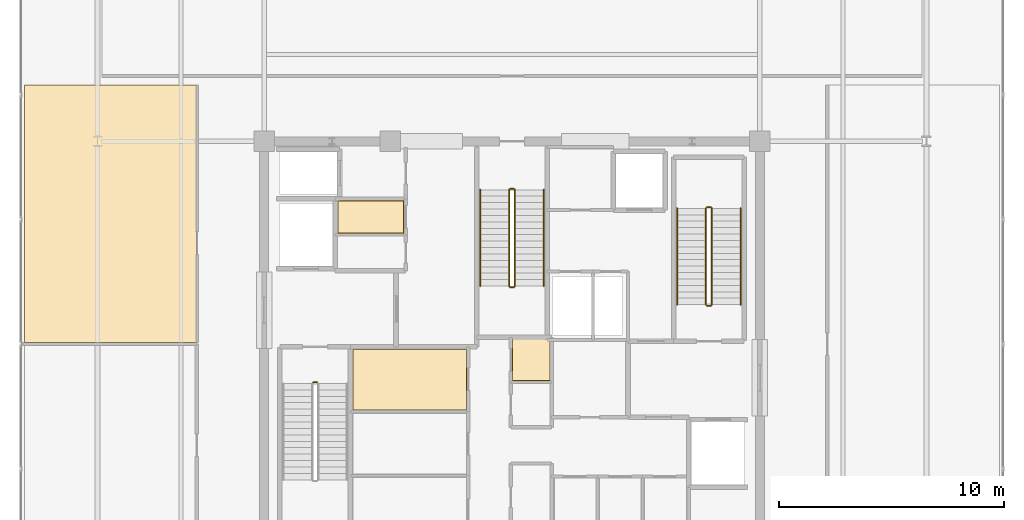
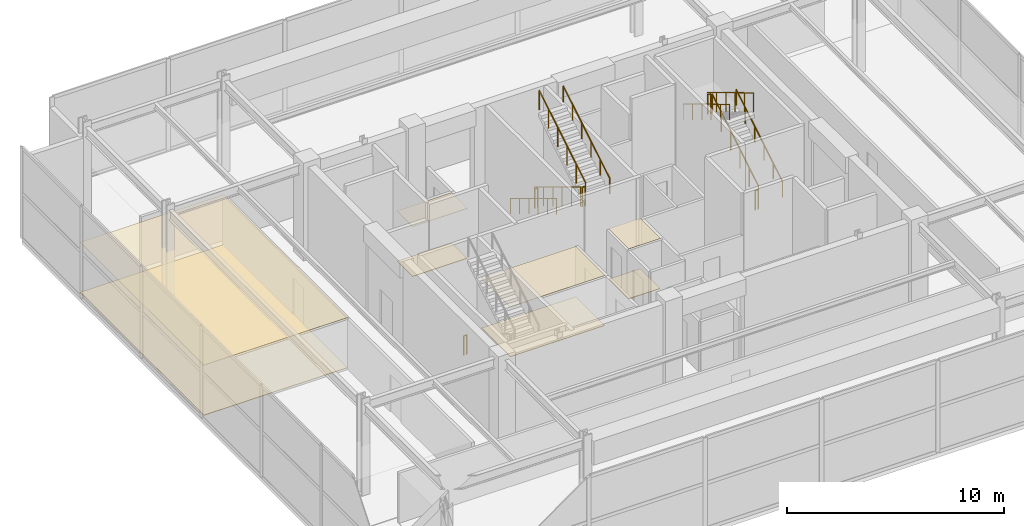
# One storey, part 23 of 24: 13 railings, 8 coverings.
"""IFC4 building model written with IfcOpenShell, lengths in metres."""

import ifcopenshell
import ifcopenshell.guid

model = None  # the IFC model being written
_history = None  # IfcOwnerHistory: only IFC2X3 demands one
_inside = {}  # id of a spatial element -> (the spatial element, [elements in it])
_under = {}  # id of a project, library or spatial element -> (it, [spatial elements below it])
_declared = {}  # id of a project -> (the project, [libraries it declares])
_typed = {}  # id of a type object -> (the type object, [elements of that type])
_made_of = {}  # id of a material, layer set ... -> (it, [elements and type objects made of it])


def new_model(schema):
    """Start an empty IFC model of exactly this schema.

    Asked for "IFC4X3", IfcOpenShell would pick the latest addendum, in which some entities
    have other attributes; the version numbers below select the first issue.
    IFC2X3 requires an IfcOwnerHistory on every rooted entity: one is made here for all.
    """
    global model, _history
    if schema == "IFC4X3":
        model = ifcopenshell.file(schema_version=(4, 3, 0, 0))
    else:
        model = ifcopenshell.file(schema=schema)
    _inside.clear()
    _under.clear()
    _declared.clear()
    _typed.clear()
    _made_of.clear()
    _history = None
    if model.schema == "IFC2X3":
        org = make("IfcOrganization", Name="unknown")
        user = make(
            "IfcPersonAndOrganization",
            ThePerson=make("IfcPerson", FamilyName="unknown"),
            TheOrganization=org,
        )
        app = make(
            "IfcApplication",
            ApplicationDeveloper=org,
            Version="unknown",
            ApplicationFullName="unknown",
            ApplicationIdentifier="unknown",
        )
        _history = make(
            "IfcOwnerHistory",
            OwningUser=user,
            OwningApplication=app,
            ChangeAction="ADDED",
            CreationDate=0,
        )
    return model


def make(cls, **values):
    """One entity of the class cls with the attributes given. An attribute that is None is left unset."""
    return model.create_entity(
        cls, **{name: value for name, value in values.items() if value is not None}
    )


def rooted(cls, **values):
    """An entity with a GlobalId (a new one), such as an element, a storey or a relation."""
    return make(cls, GlobalId=ifcopenshell.guid.new(), OwnerHistory=_history, **values)


def si_unit(unit_type, name, prefix=None):
    """IfcSIUnit, for example si_unit("LENGTHUNIT", "METRE", prefix="MILLI")."""
    return make("IfcSIUnit", UnitType=unit_type, Prefix=prefix, Name=name)


def assignment(units):
    """IfcUnitAssignment: the units of a project."""
    return None if units is None else make("IfcUnitAssignment", Units=units)


def point(xyz):
    """IfcCartesianPoint."""
    return None if xyz is None else make("IfcCartesianPoint", Coordinates=xyz)


def direction(xyz):
    """IfcDirection."""
    return None if xyz is None else make("IfcDirection", DirectionRatios=xyz)


def frame(location, z_axis=None, x_axis=None):
    """IfcAxis2Placement3D, a coordinate frame: its origin and axes. An axis left out is left unset."""
    return make(
        "IfcAxis2Placement3D",
        Location=point(location),
        Axis=direction(z_axis),
        RefDirection=direction(x_axis),
    )


def frame_2d(location, x_axis=None):
    """IfcAxis2Placement2D, a coordinate frame in the plane: its origin and x axis."""
    return make(
        "IfcAxis2Placement2D", Location=point(location), RefDirection=direction(x_axis)
    )


def origin():
    """The frame at (0, 0, 0) with its axes left unset."""
    return frame((0.0, 0.0, 0.0))


def origin_2d():
    """The frame at (0, 0) in the plane with its x axis left unset."""
    return frame_2d((0.0, 0.0))


def place(relative_to, where):
    """IfcLocalPlacement: puts the frame where relative to a parent placement (None: the world)."""
    return make(
        "IfcLocalPlacement", PlacementRelTo=relative_to, RelativePlacement=where
    )


def context(
    kind, dimensions, precision=None, world=None, true_north=None, identifier=None
):
    """IfcGeometricRepresentationContext, for example the 3D "Model" context."""
    return make(
        "IfcGeometricRepresentationContext",
        ContextIdentifier=identifier,
        ContextType=kind,
        CoordinateSpaceDimension=dimensions,
        Precision=precision,
        WorldCoordinateSystem=world,
        TrueNorth=true_north,
    )


def subcontext(parent, identifier, kind, view, scale=None):
    """IfcGeometricRepresentationSubContext, for example "Body" below "Model"."""
    return make(
        "IfcGeometricRepresentationSubContext",
        ContextIdentifier=identifier,
        ContextType=kind,
        ParentContext=parent,
        TargetScale=scale,
        TargetView=view,
    )


def project(units=None, contexts=None):
    """IfcProject with its units and contexts."""
    return rooted(
        "IfcProject",
        Name="project",
        RepresentationContexts=contexts,
        UnitsInContext=assignment(units),
    )


def spatial(cls, under=None, at=None, **own):
    """A site, building, storey or space (cls), placed at a placement, below another one or the project."""
    s = rooted(cls, ObjectPlacement=at, **own)
    if under is not None:
        _under.setdefault(under.id(), (under, []))[1].append(s)
    return s


def polyline(points):
    """IfcPolyline through the points."""
    return make("IfcPolyline", Points=[point(p) for p in points])


def profile(cls, at=None, kind="AREA", **sizes):
    """A parametric profile (cls). Its sizes go by their IFC names, for example OverallWidth=200.0."""
    return make(cls, ProfileType=kind, Position=at, **sizes)


def circle(**sizes):
    """IfcCircleProfileDef."""
    return profile("IfcCircleProfileDef", **sizes)


def outline(outer, holes=None, kind="AREA"):
    """IfcArbitraryClosedProfileDef: a profile drawn as a closed curve; with holes, ...WithVoids."""
    if holes is None:
        return make("IfcArbitraryClosedProfileDef", ProfileType=kind, OuterCurve=outer)
    return make(
        "IfcArbitraryProfileDefWithVoids",
        ProfileType=kind,
        OuterCurve=outer,
        InnerCurves=holes,
    )


def extrude(swept, where, along, depth):
    """IfcExtrudedAreaSolid: the profile swept, set in the frame where, extruded along a direction by depth."""
    return make(
        "IfcExtrudedAreaSolid",
        SweptArea=swept,
        Position=where,
        ExtrudedDirection=direction(along),
        Depth=depth,
    )


def shape(context_of_items, identifier, shape_type, items):
    """IfcShapeRepresentation: the items that make up one representation, for example the "Body"."""
    return make(
        "IfcShapeRepresentation",
        ContextOfItems=context_of_items,
        RepresentationIdentifier=identifier,
        RepresentationType=shape_type,
        Items=items,
    )


def material(Name=None, Category=None):
    """IfcMaterial."""
    return make("IfcMaterial", Name=Name, Category=Category)


def layer(
    of_material, thickness, ventilated=None, Name=None, Category=None, Priority=None
):
    """IfcMaterialLayer: one layer of a wall or slab, of a material (None: an air gap)."""
    return make(
        "IfcMaterialLayer",
        Material=of_material,
        LayerThickness=thickness,
        IsVentilated=ventilated,
        Name=Name,
        Category=Category,
        Priority=Priority,
    )


def layer_set(layers, Name=None):
    """IfcMaterialLayerSet."""
    return make("IfcMaterialLayerSet", MaterialLayers=layers, LayerSetName=Name)


def made_of(thing, what):
    """Note that an element or type object is made of a material, layer set ...; save() writes the relation."""
    if what is not None:
        _made_of.setdefault(what.id(), (what, []))[1].append(thing)
    return thing


def type_object(cls, material=None, **own):
    """A type object (cls), such as IfcWallType, which elements share."""
    return made_of(rooted(cls, **own), material)


def element(
    cls,
    number,
    at=None,
    inside=None,
    cuts=None,
    type_object=None,
    material=None,
    context=None,
    identifier="Body",
    shape_type=None,
    held_by="IfcProductDefinitionShape",
    body=None,
    shapes=None,
    **own,
):
    """One element of the class cls, such as IfcWall. Its Tag is "e" and its number.

    at: its placement. inside: the storey or other place that contains it. cuts: it is an
    opening in that element (IfcRelVoidsElement). A single representation is given by context,
    identifier, shape_type and body (its items); several are given by shapes. held_by: the class
    of the entity that holds the representations. save() writes the other relations.
    """
    e = rooted(cls, Tag="e%d" % number, ObjectPlacement=at, **own)
    if body is not None:
        shapes = [shape(context, identifier, shape_type, body)]
    if shapes is not None:
        e.Representation = make(held_by, Representations=shapes)
    if inside is not None:
        _inside.setdefault(inside.id(), (inside, []))[1].append(e)
    if cuts is not None:
        rooted(
            "IfcRelVoidsElement", RelatingBuildingElement=cuts, RelatedOpeningElement=e
        )
    if type_object is not None:
        _typed.setdefault(type_object.id(), (type_object, []))[1].append(e)
    return made_of(e, material)


def aggregate(whole, parts):
    """IfcRelAggregates: a whole, such as a stair, and the parts it consists of."""
    return rooted("IfcRelAggregates", RelatingObject=whole, RelatedObjects=parts)


def save(model, path):
    """Write the relations noted so far, then the file.

    IfcRelAggregates (storeys below a building ...), IfcRelContainedInSpatialStructure (elements
    in a storey), IfcRelDefinesByType, IfcRelAssociatesMaterial and IfcRelDeclares: one each for
    every whole, place, type object, material and project.
    """
    for whole, parts in _under.values():
        aggregate(whole, parts)
    for where, things in _inside.values():
        rooted(
            "IfcRelContainedInSpatialStructure",
            RelatedElements=things,
            RelatingStructure=where,
        )
    for kind, things in _typed.values():
        rooted("IfcRelDefinesByType", RelatedObjects=things, RelatingType=kind)
    for what, things in _made_of.values():
        rooted("IfcRelAssociatesMaterial", RelatedObjects=things, RelatingMaterial=what)
    for by, libraries in _declared.values():
        rooted("IfcRelDeclares", RelatingContext=by, RelatedDefinitions=libraries)
    model.write(path)


model = new_model("IFC4")

# Units and contexts
model_context = context("Model", 3, precision=1e-05, world=origin(), true_north=direction((0.0, 1.0)))
body_context = subcontext(model_context, "Body", "Model", "MODEL_VIEW")
ifc_project = project(units=[si_unit("LENGTHUNIT", "METRE"), si_unit("AREAUNIT", "SQUARE_METRE"), si_unit("VOLUMEUNIT", "CUBIC_METRE"), si_unit("PLANEANGLEUNIT", "RADIAN"), si_unit("MASSUNIT", "GRAM", prefix="KILO")], contexts=[model_context])

# Site, building, storey
site_placement = place(None, origin())
site = spatial("IfcSite", under=ifc_project, at=site_placement, CompositionType="ELEMENT")
building_placement = place(site_placement, origin())
building = spatial("IfcBuilding", under=site, at=building_placement, Name="Kovane Verandah Tower", CompositionType="ELEMENT")
storey_placement = place(building_placement, frame((0.0, 0.0, 348.800048828125)))
storey = spatial("IfcBuildingStorey", under=building, at=storey_placement, Name="L81", CompositionType="ELEMENT", Elevation=348.800048828125)

# Coverings
ifc_material_1 = material(Name="Perforated Acoustic Mineral-Fibre Ceiling Tile", Category="gypsum")
ifc_layer_1 = layer(ifc_material_1, 0.02490234375)
ifc_layer_set_1 = layer_set([ifc_layer_1], Name="Perforated Acoustic Mineral-Fibre Ceiling Tile")
covering_type_1 = type_object("IfcCoveringType", Name="CV-CEIL-25", PredefinedType="CEILING", material=ifc_layer_set_1)
covering_1_placement = place(storey_placement, frame((0.0, 0.0, 2.824951171875)))
element("IfcCovering", 1, at=covering_1_placement, inside=storey, type_object=covering_type_1, Name="L81 Tea and Copy Hub Acoustic Ceiling", PredefinedType="CEILING", context=body_context, shape_type="SweptSolid", body=[
    extrude(outline(polyline([(32.93505859375, 24.56494140625), (37.9951171875, 24.56494140625), (37.9951171875, 27.264892578125), (32.93505859375, 27.264892578125), (32.93505859375, 24.56494140625)])), origin(), (0.0, 0.0, 1.0), 0.02490234375),
])
covering_2_placement = place(storey_placement, frame((0.0, 0.0, 2.824951171875)))
element("IfcCovering", 2, at=covering_2_placement, inside=storey, type_object=covering_type_1, Name="L81 North-West First Aid Room Acoustic Ceiling", PredefinedType="CEILING", context=body_context, shape_type="SweptSolid", body=[
    extrude(outline(polyline([(32.264892578125, 32.4150390625), (35.195068359375, 32.4150390625), (35.195068359375, 33.864990234375), (32.264892578125, 33.864990234375), (32.264892578125, 32.4150390625)])), origin(), (0.0, 0.0, 1.0), 0.02490234375),
])
covering_3_placement = place(storey_placement, frame((0.0, 0.0, 2.824951171875)))
element("IfcCovering", 3, at=covering_3_placement, inside=storey, type_object=covering_type_1, Name="L81 Central First Aid and Wellness Room Acoustic Ceiling", PredefinedType="CEILING", context=body_context, shape_type="SweptSolid", body=[
    extrude(outline(polyline([(40.0048828125, 25.864990234375), (41.695068359375, 25.864990234375), (41.695068359375, 27.735107421875), (40.0048828125, 27.735107421875), (40.0048828125, 25.864990234375)])), origin(), (0.0, 0.0, 1.0), 0.02490234375),
])
covering_4_placement = place(storey_placement, frame((0.0, 0.0, 2.824951171875)))
element("IfcCovering", 4, at=covering_4_placement, inside=storey, type_object=covering_type_1, Name="L81 Skyline Exhibition Gallery Acoustic Ceiling", PredefinedType="CEILING", context=body_context, shape_type="SweptSolid", body=[
    extrude(outline(polyline([(18.35009765625, 27.570068359375), (26.0, 27.570068359375), (26.0, 39.0), (18.35009765625, 39.0), (18.35009765625, 27.570068359375)])), origin(), (0.0, 0.0, 1.0), 0.02490234375),
])
ifc_material_2 = material(Name="Polished Terrazzo and Raised-Access Carpet Tile Finish", Category="concrete")
ifc_layer_2 = layer(ifc_material_2, 0.030029296875)
ifc_layer_set_2 = layer_set([ifc_layer_2], Name="Polished Terrazzo and Raised-Access Carpet Tile Finish")
covering_type_2 = type_object("IfcCoveringType", Name="CV-FLOR-30", PredefinedType="FLOORING", material=ifc_layer_set_2)
covering_5_placement = place(storey_placement, origin())
element("IfcCovering", 5, at=covering_5_placement, inside=storey, type_object=covering_type_2, Name="L81 Tea and Copy Hub Floor Finish", PredefinedType="FLOORING", context=body_context, shape_type="SweptSolid", body=[
    extrude(outline(polyline([(32.949951171875, 24.580078125), (37.97998046875, 24.580078125), (37.97998046875, 27.25), (32.949951171875, 27.25), (32.949951171875, 24.580078125)])), origin(), (0.0, 0.0, 1.0), 0.030029296875),
])
covering_6_placement = place(storey_placement, origin())
element("IfcCovering", 6, at=covering_6_placement, inside=storey, type_object=covering_type_2, Name="L81 North-West First Aid Room Floor Finish", PredefinedType="FLOORING", context=body_context, shape_type="SweptSolid", body=[
    extrude(outline(polyline([(32.280029296875, 32.429931640625), (35.179931640625, 32.429931640625), (35.179931640625, 33.85009765625), (32.280029296875, 33.85009765625), (32.280029296875, 32.429931640625)])), origin(), (0.0, 0.0, 1.0), 0.030029296875),
])
covering_7_placement = place(storey_placement, origin())
element("IfcCovering", 7, at=covering_7_placement, inside=storey, type_object=covering_type_2, Name="L81 Central First Aid and Wellness Room Floor Finish", PredefinedType="FLOORING", context=body_context, shape_type="SweptSolid", body=[
    extrude(outline(polyline([(40.02001953125, 25.8798828125), (41.679931640625, 25.8798828125), (41.679931640625, 27.719970703125), (40.02001953125, 27.719970703125), (40.02001953125, 25.8798828125)])), origin(), (0.0, 0.0, 1.0), 0.030029296875),
])
covering_8_placement = place(storey_placement, origin())
element("IfcCovering", 8, at=covering_8_placement, inside=storey, type_object=covering_type_2, Name="L81 Skyline Exhibition Gallery Floor Finish", PredefinedType="FLOORING", context=body_context, shape_type="SweptSolid", body=[
    extrude(outline(polyline([(18.35009765625, 27.570068359375), (26.0, 27.570068359375), (26.0, 39.0), (18.35009765625, 39.0), (18.35009765625, 27.570068359375)])), origin(), (0.0, 0.0, 1.0), 0.030029296875),
])

# Railings
ifc_material_3 = material(Name="Brushed Stainless Steel Handrail", Category="steel")
railing_type_1 = type_object("IfcRailingType", Name="RL-HAND-920", PredefinedType="HANDRAIL", material=ifc_material_3)
railing_1_placement = place(storey_placement, frame((50.14990234375, 29.25, 0.171875)))
element("IfcRailing", 9, at=railing_1_placement, inside=storey, type_object=railing_type_1, Name="L81 ST-02 stair handrail 1", PredefinedType="HANDRAIL", context=body_context, shape_type="SweptSolid", body=[
    extrude(circle(Radius=0.02392578125, at=origin_2d()), frame((0.0, 0.0, 0.8759765625), z_axis=(0.0, 0.856325638601, 0.51643625035), x_axis=(-1.0, 0.0, 0.0)), (0.0, 0.0, 1.0), 4.9921875),
    extrude(circle(Radius=0.02099609375, at=origin_2d()), origin(), (0.0, 0.0, 1.0), 0.851806640625),
    extrude(circle(Radius=0.02099609375, at=origin_2d()), frame((0.0, 0.85498046875, 0.515625)), (0.0, 0.0, 1.0), 0.851806640625),
    extrude(circle(Radius=0.02099609375, at=origin_2d()), frame((0.0, 1.7099609375, 1.03125)), (0.0, 0.0, 1.0), 0.851806640625),
    extrude(circle(Radius=0.02099609375, at=origin_2d()), frame((0.0, 2.56494140625, 1.546875)), (0.0, 0.0, 1.0), 0.851806640625),
    extrude(circle(Radius=0.02099609375, at=origin_2d()), frame((0.0, 3.419921875, 2.0625)), (0.0, 0.0, 1.0), 0.851806640625),
    extrude(circle(Radius=0.02099609375, at=origin_2d()), frame((0.0, 4.27490234375, 2.578125)), (0.0, 0.0, 1.0), 0.851806640625),
])
railing_2_placement = place(storey_placement, frame((47.330078125, 33.52490234375, 2.921875)))
element("IfcRailing", 10, at=railing_2_placement, inside=storey, type_object=railing_type_1, Name="L81 ST-02 stair handrail 2", PredefinedType="HANDRAIL", context=body_context, shape_type="SweptSolid", body=[
    extrude(circle(Radius=0.02392578125, at=origin_2d()), frame((0.0, 0.0, 0.8759765625), z_axis=(0.0, -0.856325638601, 0.51643625035), x_axis=(1.0, 0.0, 0.0)), (0.0, 0.0, 1.0), 4.9921875),
    extrude(circle(Radius=0.02099609375, at=origin_2d()), origin(), (0.0, 0.0, 1.0), 0.851806640625),
    extrude(circle(Radius=0.02099609375, at=origin_2d()), frame((0.0, -0.85498046875, 0.515625)), (0.0, 0.0, 1.0), 0.851806640625),
    extrude(circle(Radius=0.02099609375, at=origin_2d()), frame((0.0, -1.7099609375, 1.03125)), (0.0, 0.0, 1.0), 0.851806640625),
    extrude(circle(Radius=0.02099609375, at=origin_2d()), frame((0.0, -2.56494140625, 1.546875)), (0.0, 0.0, 1.0), 0.851806640625),
    extrude(circle(Radius=0.02099609375, at=origin_2d()), frame((0.0, -3.419921875, 2.0625)), (0.0, 0.0, 1.0), 0.851806640625),
    extrude(circle(Radius=0.02099609375, at=origin_2d()), frame((0.0, -4.27490234375, 2.578125)), (0.0, 0.0, 1.0), 0.851806640625),
])
railing_3_placement = place(storey_placement, frame((38.590087890625, 34.35009765625, 0.171875)))
element("IfcRailing", 11, at=railing_3_placement, inside=storey, type_object=railing_type_1, Name="L81 ST-03 stair handrail 1", PredefinedType="HANDRAIL", context=body_context, shape_type="SweptSolid", body=[
    extrude(circle(Radius=0.02392578125, at=origin_2d()), frame((0.0, 0.0, 0.8759765625), z_axis=(0.0, -0.856338681044, 0.516414623484), x_axis=(1.0, 0.0, 0.0)), (0.0, 0.0, 1.0), 4.992431640625),
    extrude(circle(Radius=0.02099609375, at=origin_2d()), origin(), (0.0, 0.0, 1.0), 0.851806640625),
    extrude(circle(Radius=0.02099609375, at=origin_2d()), frame((0.0, -0.85498046875, 0.515625)), (0.0, 0.0, 1.0), 0.851806640625),
    extrude(circle(Radius=0.02099609375, at=origin_2d()), frame((0.0, -1.7099609375, 1.03125)), (0.0, 0.0, 1.0), 0.851806640625),
    extrude(circle(Radius=0.02099609375, at=origin_2d()), frame((0.0, -2.565185546875, 1.546875)), (0.0, 0.0, 1.0), 0.851806640625),
    extrude(circle(Radius=0.02099609375, at=origin_2d()), frame((0.0, -3.420166015625, 2.0625)), (0.0, 0.0, 1.0), 0.851806640625),
    extrude(circle(Radius=0.02099609375, at=origin_2d()), frame((0.0, -4.275146484375, 2.578125)), (0.0, 0.0, 1.0), 0.851806640625),
])
railing_4_placement = place(storey_placement, frame((41.409912109375, 30.074951171875, 2.921875)))
element("IfcRailing", 12, at=railing_4_placement, inside=storey, type_object=railing_type_1, Name="L81 ST-03 stair handrail 2", PredefinedType="HANDRAIL", context=body_context, shape_type="SweptSolid", body=[
    extrude(circle(Radius=0.02392578125, at=origin_2d()), frame((0.0, 0.0, 0.8759765625), z_axis=(0.0, 0.856338681044, 0.516414623484), x_axis=(-1.0, 0.0, 0.0)), (0.0, 0.0, 1.0), 4.992431640625),
    extrude(circle(Radius=0.02099609375, at=origin_2d()), origin(), (0.0, 0.0, 1.0), 0.851806640625),
    extrude(circle(Radius=0.02099609375, at=origin_2d()), frame((0.0, 0.85498046875, 0.515625)), (0.0, 0.0, 1.0), 0.851806640625),
    extrude(circle(Radius=0.02099609375, at=origin_2d()), frame((0.0, 1.7099609375, 1.03125)), (0.0, 0.0, 1.0), 0.851806640625),
    extrude(circle(Radius=0.02099609375, at=origin_2d()), frame((0.0, 2.565185546875, 1.546875)), (0.0, 0.0, 1.0), 0.851806640625),
    extrude(circle(Radius=0.02099609375, at=origin_2d()), frame((0.0, 3.420166015625, 2.0625)), (0.0, 0.0, 1.0), 0.851806640625),
    extrude(circle(Radius=0.02099609375, at=origin_2d()), frame((0.0, 4.275146484375, 2.578125)), (0.0, 0.0, 1.0), 0.851806640625),
])
ifc_material_4 = material(Name="Painted Steel Stairwell Guardrail", Category="steel")
railing_type_2 = type_object("IfcRailingType", Name="RL-STGUARD-1120", PredefinedType="GUARDRAIL", material=ifc_material_4)
railing_5_placement = place(storey_placement, frame((31.179931640625, 25.800048828125, 0.0)))
element("IfcRailing", 13, at=railing_5_placement, inside=storey, type_object=railing_type_2, Name="L81 ST-01 stair guard 4", PredefinedType="GUARDRAIL", context=body_context, shape_type="SweptSolid", body=[
    extrude(circle(Radius=0.02392578125, at=origin_2d()), frame((0.0, 0.0, 1.076171875), z_axis=(1.0, 0.0, 0.0), x_axis=(0.0, 1.0, 0.0)), (0.0, 0.0, 1.0), 0.16015625),
    extrude(circle(Radius=0.02099609375, at=origin_2d()), origin(), (0.0, 0.0, 1.0), 1.052001953125),
    extrude(circle(Radius=0.02099609375, at=origin_2d()), frame((0.16015625, 0.0, 0.0)), (0.0, 0.0, 1.0), 1.052001953125),
])
railing_6_placement = place(storey_placement, frame((48.8701171875, 29.25, 0.171875)))
element("IfcRailing", 14, at=railing_6_placement, inside=storey, type_object=railing_type_2, Name="L81 ST-02 stair guard 1", PredefinedType="GUARDRAIL", context=body_context, shape_type="SweptSolid", body=[
    extrude(circle(Radius=0.02392578125, at=origin_2d()), frame((0.0, 0.0, 1.076171875), z_axis=(0.0, 0.856325638601, 0.51643625035), x_axis=(-1.0, 0.0, 0.0)), (0.0, 0.0, 1.0), 4.9921875),
    extrude(circle(Radius=0.02099609375, at=origin_2d()), origin(), (0.0, 0.0, 1.0), 1.052001953125),
    extrude(circle(Radius=0.02099609375, at=origin_2d()), frame((0.0, 0.85498046875, 0.515625)), (0.0, 0.0, 1.0), 1.052001953125),
    extrude(circle(Radius=0.02099609375, at=origin_2d()), frame((0.0, 1.7099609375, 1.03125)), (0.0, 0.0, 1.0), 1.052001953125),
    extrude(circle(Radius=0.02099609375, at=origin_2d()), frame((0.0, 2.56494140625, 1.546875)), (0.0, 0.0, 1.0), 1.052001953125),
    extrude(circle(Radius=0.02099609375, at=origin_2d()), frame((0.0, 3.419921875, 2.0625)), (0.0, 0.0, 1.0), 1.052001953125),
    extrude(circle(Radius=0.02099609375, at=origin_2d()), frame((0.0, 4.27490234375, 2.578125)), (0.0, 0.0, 1.0), 1.052001953125),
])
railing_7_placement = place(storey_placement, frame((48.820068359375, 33.574951171875, 2.75)))
element("IfcRailing", 15, at=railing_7_placement, inside=storey, type_object=railing_type_2, Name="L81 ST-02 stair guard 2", PredefinedType="GUARDRAIL", context=body_context, shape_type="SweptSolid", body=[
    extrude(circle(Radius=0.02392578125, at=origin_2d()), frame((0.0, 0.0, 1.076171875), z_axis=(-1.0, 0.0, 0.0), x_axis=(0.0, -1.0, 0.0)), (0.0, 0.0, 1.0), 0.16015625),
    extrude(circle(Radius=0.02099609375, at=origin_2d()), origin(), (0.0, 0.0, 1.0), 1.052001953125),
    extrude(circle(Radius=0.02099609375, at=origin_2d()), frame((-0.16015625, 0.0, 0.0)), (0.0, 0.0, 1.0), 1.052001953125),
])
railing_8_placement = place(storey_placement, frame((48.610107421875, 33.52490234375, 2.921875)))
element("IfcRailing", 16, at=railing_8_placement, inside=storey, type_object=railing_type_2, Name="L81 ST-02 stair guard 3", PredefinedType="GUARDRAIL", context=body_context, shape_type="SweptSolid", body=[
    extrude(circle(Radius=0.02392578125, at=origin_2d()), frame((0.0, 0.0, 1.076171875), z_axis=(0.0, -0.856325638601, 0.51643625035), x_axis=(1.0, 0.0, 0.0)), (0.0, 0.0, 1.0), 4.9921875),
    extrude(circle(Radius=0.02099609375, at=origin_2d()), origin(), (0.0, 0.0, 1.0), 1.052001953125),
    extrude(circle(Radius=0.02099609375, at=origin_2d()), frame((0.0, -0.85498046875, 0.515625)), (0.0, 0.0, 1.0), 1.052001953125),
    extrude(circle(Radius=0.02099609375, at=origin_2d()), frame((0.0, -1.7099609375, 1.03125)), (0.0, 0.0, 1.0), 1.052001953125),
    extrude(circle(Radius=0.02099609375, at=origin_2d()), frame((0.0, -2.56494140625, 1.546875)), (0.0, 0.0, 1.0), 1.052001953125),
    extrude(circle(Radius=0.02099609375, at=origin_2d()), frame((0.0, -3.419921875, 2.0625)), (0.0, 0.0, 1.0), 1.052001953125),
    extrude(circle(Radius=0.02099609375, at=origin_2d()), frame((0.0, -4.27490234375, 2.578125)), (0.0, 0.0, 1.0), 1.052001953125),
])
railing_9_placement = place(storey_placement, frame((48.820068359375, 29.199951171875, 0.0)))
element("IfcRailing", 17, at=railing_9_placement, inside=storey, type_object=railing_type_2, Name="L81 ST-02 stair guard 4", PredefinedType="GUARDRAIL", context=body_context, shape_type="SweptSolid", body=[
    extrude(circle(Radius=0.02392578125, at=origin_2d()), frame((0.0, 0.0, 1.076171875), z_axis=(-1.0, 0.0, 0.0), x_axis=(0.0, -1.0, 0.0)), (0.0, 0.0, 1.0), 0.16015625),
    extrude(circle(Radius=0.02099609375, at=origin_2d()), origin(), (0.0, 0.0, 1.0), 1.052001953125),
    extrude(circle(Radius=0.02099609375, at=origin_2d()), frame((-0.16015625, 0.0, 0.0)), (0.0, 0.0, 1.0), 1.052001953125),
])
railing_10_placement = place(storey_placement, frame((39.8701171875, 34.35009765625, 0.171875)))
element("IfcRailing", 18, at=railing_10_placement, inside=storey, type_object=railing_type_2, Name="L81 ST-03 stair guard 1", PredefinedType="GUARDRAIL", context=body_context, shape_type="SweptSolid", body=[
    extrude(circle(Radius=0.02392578125, at=origin_2d()), frame((0.0, 0.0, 1.076171875), z_axis=(0.0, -0.856338681044, 0.516414623484), x_axis=(1.0, 0.0, 0.0)), (0.0, 0.0, 1.0), 4.992431640625),
    extrude(circle(Radius=0.02099609375, at=origin_2d()), origin(), (0.0, 0.0, 1.0), 1.052001953125),
    extrude(circle(Radius=0.02099609375, at=origin_2d()), frame((0.0, -0.85498046875, 0.515625)), (0.0, 0.0, 1.0), 1.052001953125),
    extrude(circle(Radius=0.02099609375, at=origin_2d()), frame((0.0, -1.7099609375, 1.03125)), (0.0, 0.0, 1.0), 1.052001953125),
    extrude(circle(Radius=0.02099609375, at=origin_2d()), frame((0.0, -2.565185546875, 1.546875)), (0.0, 0.0, 1.0), 1.052001953125),
    extrude(circle(Radius=0.02099609375, at=origin_2d()), frame((0.0, -3.420166015625, 2.0625)), (0.0, 0.0, 1.0), 1.052001953125),
    extrude(circle(Radius=0.02099609375, at=origin_2d()), frame((0.0, -4.275146484375, 2.578125)), (0.0, 0.0, 1.0), 1.052001953125),
])
railing_11_placement = place(storey_placement, frame((39.919921875, 30.02490234375, 2.75)))
element("IfcRailing", 19, at=railing_11_placement, inside=storey, type_object=railing_type_2, Name="L81 ST-03 stair guard 2", PredefinedType="GUARDRAIL", context=body_context, shape_type="SweptSolid", body=[
    extrude(circle(Radius=0.02392578125, at=origin_2d()), frame((0.0, 0.0, 1.076171875), z_axis=(1.0, 0.0, 0.0), x_axis=(0.0, 1.0, 0.0)), (0.0, 0.0, 1.0), 0.16015625),
    extrude(circle(Radius=0.02099609375, at=origin_2d()), origin(), (0.0, 0.0, 1.0), 1.052001953125),
    extrude(circle(Radius=0.02099609375, at=origin_2d()), frame((0.16015625, 0.0, 0.0)), (0.0, 0.0, 1.0), 1.052001953125),
])
railing_12_placement = place(storey_placement, frame((40.1298828125, 30.074951171875, 2.921875)))
element("IfcRailing", 20, at=railing_12_placement, inside=storey, type_object=railing_type_2, Name="L81 ST-03 stair guard 3", PredefinedType="GUARDRAIL", context=body_context, shape_type="SweptSolid", body=[
    extrude(circle(Radius=0.02392578125, at=origin_2d()), frame((0.0, 0.0, 1.076171875), z_axis=(0.0, 0.856338681044, 0.516414623484), x_axis=(-1.0, 0.0, 0.0)), (0.0, 0.0, 1.0), 4.992431640625),
    extrude(circle(Radius=0.02099609375, at=origin_2d()), origin(), (0.0, 0.0, 1.0), 1.052001953125),
    extrude(circle(Radius=0.02099609375, at=origin_2d()), frame((0.0, 0.85498046875, 0.515625)), (0.0, 0.0, 1.0), 1.052001953125),
    extrude(circle(Radius=0.02099609375, at=origin_2d()), frame((0.0, 1.7099609375, 1.03125)), (0.0, 0.0, 1.0), 1.052001953125),
    extrude(circle(Radius=0.02099609375, at=origin_2d()), frame((0.0, 2.565185546875, 1.546875)), (0.0, 0.0, 1.0), 1.052001953125),
    extrude(circle(Radius=0.02099609375, at=origin_2d()), frame((0.0, 3.420166015625, 2.0625)), (0.0, 0.0, 1.0), 1.052001953125),
    extrude(circle(Radius=0.02099609375, at=origin_2d()), frame((0.0, 4.275146484375, 2.578125)), (0.0, 0.0, 1.0), 1.052001953125),
])
railing_13_placement = place(storey_placement, frame((39.919921875, 34.39990234375, 0.0)))
element("IfcRailing", 21, at=railing_13_placement, inside=storey, type_object=railing_type_2, Name="L81 ST-03 stair guard 4", PredefinedType="GUARDRAIL", context=body_context, shape_type="SweptSolid", body=[
    extrude(circle(Radius=0.02392578125, at=origin_2d()), frame((0.0, 0.0, 1.076171875), z_axis=(1.0, 0.0, 0.0), x_axis=(0.0, 1.0, 0.0)), (0.0, 0.0, 1.0), 0.16015625),
    extrude(circle(Radius=0.02099609375, at=origin_2d()), origin(), (0.0, 0.0, 1.0), 1.052001953125),
    extrude(circle(Radius=0.02099609375, at=origin_2d()), frame((0.16015625, 0.0, 0.0)), (0.0, 0.0, 1.0), 1.052001953125),
])

save(model, "model.ifc")
